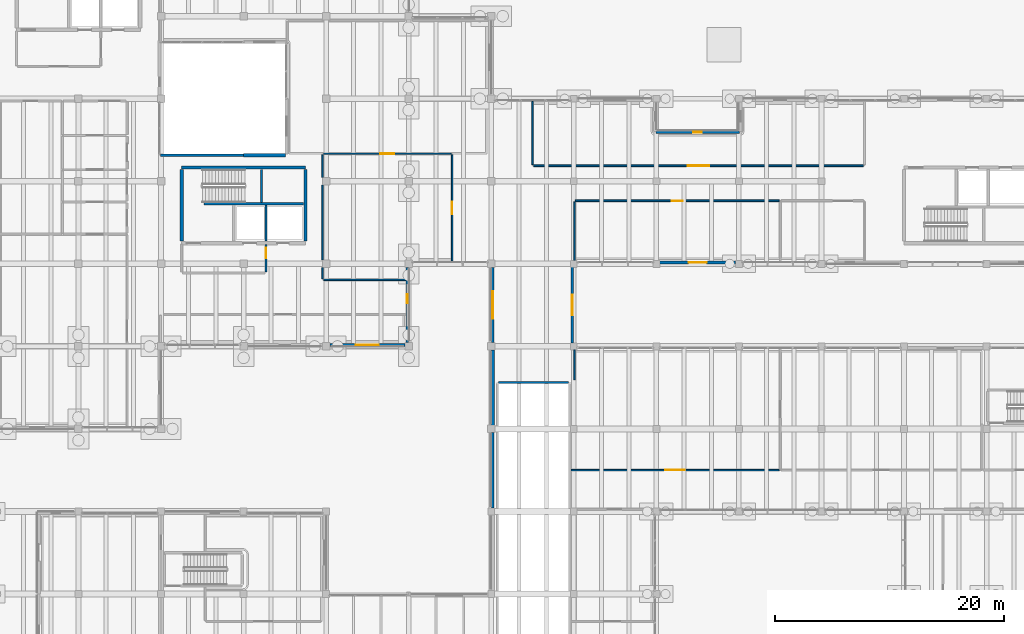
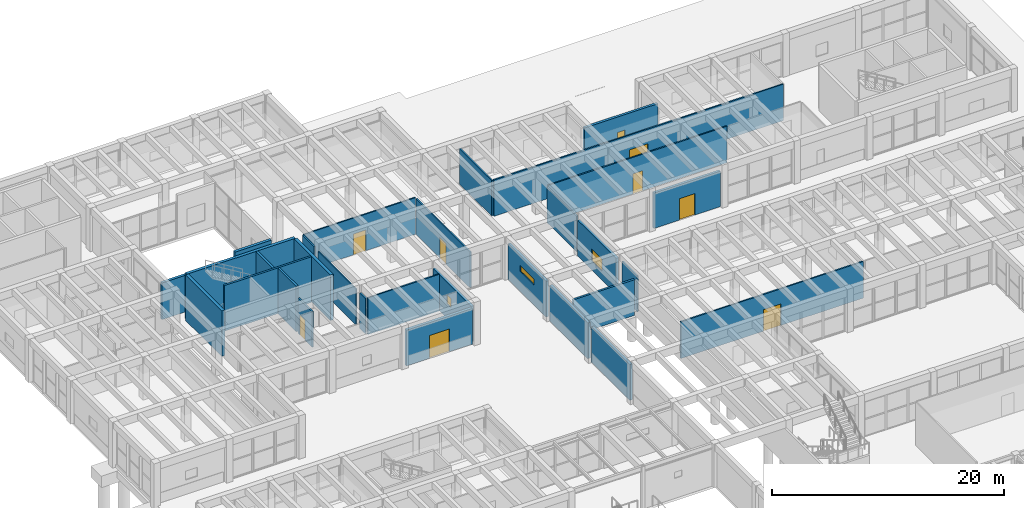
# One storey, part 123 of 155: 30 walls, 8 doors, 4 windows, 12 openings.
"""IFC4 building model written with IfcOpenShell, lengths in metres."""

from ifc_helpers import new_model, si_unit, direction, frame, frame_2d, origin, place, context, subcontext, project, spatial, rectangle, extrude, material, layer, layer_set, type_object, element, fill, save


model = new_model("IFC4")

# Units and contexts
model_context = context("Model", 3, precision=1e-05, world=origin(), true_north=direction((0.0, 1.0)))
body_context = subcontext(model_context, "Body", "Model", "MODEL_VIEW")
ifc_project = project(units=[si_unit("LENGTHUNIT", "METRE"), si_unit("AREAUNIT", "SQUARE_METRE"), si_unit("VOLUMEUNIT", "CUBIC_METRE"), si_unit("PLANEANGLEUNIT", "RADIAN"), si_unit("MASSUNIT", "GRAM", prefix="KILO")], contexts=[model_context])

# Site, building, storey
site_placement = place(None, origin())
site = spatial("IfcSite", under=ifc_project, at=site_placement, CompositionType="ELEMENT")
building_placement = place(site_placement, origin())
building = spatial("IfcBuilding", under=site, at=building_placement, Name="Bramvelor Terrace Health Centre", CompositionType="ELEMENT")
storey_placement = place(building_placement, origin())
storey = spatial("IfcBuildingStorey", under=building, at=storey_placement, Name="L01", CompositionType="ELEMENT", Elevation=0.0)

# Wall, opening, door
ifc_material_1 = material(Name="Acoustic clinical partition board", Category="gypsum")
ifc_layer_1 = layer(ifc_material_1, 0.1298828125)
ifc_layer_set_1 = layer_set([ifc_layer_1], Name="Acoustic clinical partition board")
wall_type_1 = type_object("IfcWallType", Name="WL-CLN-130", PredefinedType="PARTITIONING", material=ifc_layer_set_1)
wall_1_placement = place(storey_placement, frame((28.590087890625, 96.0, 0.0), z_axis=(0.0, 0.0, 1.0), x_axis=(1.0, 0.0, 0.0)))
wall_1 = element("IfcWall", 1, at=wall_1_placement, inside=storey, type_object=wall_type_1, Name="L01 Interior Partition 109", PredefinedType="PARTITIONING", context=body_context, shape_type="SweptSolid", body=[
    extrude(rectangle(XDim=11.10986328125, YDim=0.1298828125, at=frame_2d((5.554931640625, 0.0))), origin(), (0.0, 0.0, 1.0), 3.860107421875),
])
opening_1_placement = place(wall_1_placement, frame((4.945068359375, 0.0, 0.0)))
opening_1 = element("IfcOpeningElement", 2, at=opening_1_placement, cuts=wall_1, Name="Opening ID-C04", PredefinedType="OPENING", context=body_context, shape_type="SweptSolid", body=[
    extrude(rectangle(XDim=1.219970703125, YDim=2.179931640625, at=frame_2d((0.60986328125, 1.08984375))), frame((0.0, 0.074951171875, 0.0), z_axis=(0.0, -1.0, 0.0), x_axis=(1.0, 0.0, 0.0)), (0.0, 0.0, 1.0), 0.14990234375),
])
ifc_material_2 = material(Name="Solid-core acoustic timber laminate", Category="wood")
door_type_1 = type_object("IfcDoorType", Name="DR-CLN-04", OperationType="NOTDEFINED", PredefinedType="DOOR", material=ifc_material_2)
door_1_placement = place(opening_1_placement, origin())
door_1 = element("IfcDoor", 3, at=door_1_placement, inside=storey, type_object=door_type_1, Name="L01 Paediatric Well-Child Clinic Clinical Door", OperationType="SINGLE_SWING_LEFT", OverallHeight=2.179931640625, OverallWidth=1.219970703125, PredefinedType="DOOR", context=body_context, shape_type="SweptSolid", body=[
    extrude(rectangle(XDim=1.219970703125, YDim=2.179931640625, at=frame_2d((0.60986328125, 1.08984375))), frame((0.0, 0.02490234375, 0.0), z_axis=(0.0, -1.0, 0.0), x_axis=(1.0, 0.0, 0.0)), (0.0, 0.0, 1.0), 0.050048828125),
])
fill(opening_1, door_1)

# Walls
wall_2_placement = place(storey_placement, frame((28.5, 85.092041015625, 0.0), z_axis=(0.0, 0.0, 1.0), x_axis=(0.0, 1.0, 0.0)))
element("IfcWall", 4, at=wall_2_placement, inside=storey, type_object=wall_type_1, Name="L01 Interior Partition 112", PredefinedType="PARTITIONING", context=body_context, shape_type="SweptSolid", body=[
    extrude(rectangle(XDim=0.968017578125, YDim=0.1298828125, at=frame_2d((0.48388671875, 0.0))), origin(), (0.0, 0.0, 1.0), 3.760009765625),
])
wall_3_placement = place(storey_placement, frame((28.5, 86.739990234375, 0.0), z_axis=(0.0, 0.0, 1.0), x_axis=(0.0, 1.0, 0.0)))
element("IfcWall", 5, at=wall_3_placement, inside=storey, type_object=wall_type_1, Name="L01 Interior Partition 113", PredefinedType="PARTITIONING", context=body_context, shape_type="SweptSolid", body=[
    extrude(rectangle(XDim=6.52001953125, YDim=0.1298828125, at=frame_2d((3.260009765625, 0.0))), origin(), (0.0, 0.0, 1.0), 3.760009765625),
])
wall_4_placement = place(storey_placement, frame((28.5, 93.93994140625, 0.0), z_axis=(0.0, 0.0, 1.0), x_axis=(0.0, 1.0, 0.0)))
element("IfcWall", 6, at=wall_4_placement, inside=storey, type_object=wall_type_1, Name="L01 Interior Partition 114", PredefinedType="PARTITIONING", context=body_context, shape_type="SweptSolid", body=[
    extrude(rectangle(XDim=1.969970703125, YDim=0.1298828125, at=frame_2d((0.98486328125, 0.0))), origin(), (0.0, 0.0, 1.0), 3.860107421875),
])
wall_5_placement = place(storey_placement, frame((46.800048828125, 95.0419921875, 0.0), z_axis=(0.0, 0.0, 1.0), x_axis=(0.0, 1.0, 0.0)))
element("IfcWall", 7, at=wall_5_placement, inside=storey, type_object=wall_type_1, Name="L01 Interior Partition 127", PredefinedType="PARTITIONING", context=body_context, shape_type="SweptSolid", body=[
    extrude(rectangle(XDim=5.528076171875, YDim=0.1298828125, at=frame_2d((2.76416015625, 0.0))), origin(), (0.0, 0.0, 1.0), 3.72998046875),
])

# Wall, opening, door
ifc_material_3 = material(Name="Fire-rated gypsum and mineral wool", Category="gypsum")
ifc_layer_2 = layer(ifc_material_3, 0.139892578125)
ifc_layer_set_2 = layer_set([ifc_layer_2], Name="Fire-rated gypsum and mineral wool")
wall_type_2 = type_object("IfcWallType", Name="WL-COR-140", PredefinedType="PARTITIONING", material=ifc_layer_set_2)
wall_6_placement = place(storey_placement, frame((68.31005859375, 68.409912109375, 0.0), z_axis=(0.0, 0.0, 1.0), x_axis=(-1.0, 0.0, 0.0)))
wall_6 = element("IfcWall", 8, at=wall_6_placement, inside=storey, type_object=wall_type_2, Name="L01 Interior Partition 89", PredefinedType="PARTITIONING", context=body_context, shape_type="SweptSolid", body=[
    extrude(rectangle(XDim=18.150146484375, YDim=0.139892578125, at=frame_2d((9.0751953125, 0.0))), origin(), (0.0, 0.0, 1.0), 3.860107421875),
])
opening_2_placement = place(wall_6_placement, frame((8.215087890625, 0.0, 0.0)))
opening_2 = element("IfcOpeningElement", 9, at=opening_2_placement, cuts=wall_6, Name="Opening FD-04", PredefinedType="OPENING", context=body_context, shape_type="SweptSolid", body=[
    extrude(rectangle(XDim=1.719970703125, YDim=2.260009765625, at=frame_2d((0.85986328125, 1.1298828125))), frame((0.0, 0.079833984375, 0.0), z_axis=(0.0, -1.0, 0.0), x_axis=(1.0, 0.0, 0.0)), (0.0, 0.0, 1.0), 0.159912109375),
])
ifc_material_4 = material(Name="Fire-rated steel and vision panel", Category="steel")
door_type_2 = type_object("IfcDoorType", Name="DR-FD90-172", OperationType="DOUBLE_DOOR_SINGLE_SWING", PredefinedType="DOOR", material=ifc_material_4)
door_2_placement = place(opening_2_placement, origin())
door_2 = element("IfcDoor", 10, at=door_2_placement, inside=storey, type_object=door_type_2, Name="L01 Patient Navigation and Records Suite Fire Door", OperationType="DOUBLE_DOOR_SINGLE_SWING", OverallHeight=2.260009765625, OverallWidth=1.719970703125, PredefinedType="DOOR", context=body_context, shape_type="SweptSolid", body=[
    extrude(rectangle(XDim=1.719970703125, YDim=2.260009765625, at=frame_2d((0.85986328125, 1.1298828125))), frame((0.0, 0.02490234375, 0.0), z_axis=(0.0, -1.0, 0.0), x_axis=(1.0, 0.0, 0.0)), (0.0, 0.0, 1.0), 0.050048828125),
])
fill(opening_2, door_2)

# Wall
wall_7_placement = place(storey_placement, frame((50.4501953125, 76.288818359375, 0.0), z_axis=(0.0, 0.0, 1.0), x_axis=(0.000657030082, 0.999999784156, 0.0)))
element("IfcWall", 11, at=wall_7_placement, inside=storey, type_object=wall_type_2, Name="L01 Interior Partition 90", PredefinedType="PARTITIONING", context=body_context, shape_type="SweptSolid", body=[
    extrude(rectangle(XDim=2.60107421875, YDim=0.139892578125, at=frame_2d((1.300537109375, 0.0))), origin(), (0.0, 0.0, 1.0), 3.760009765625),
])

# Wall, opening, door
wall_8_placement = place(storey_placement, frame((39.7900390625, 95.909912109375, 0.0), z_axis=(0.0, 0.0, 1.0), x_axis=(0.0, -1.0, 0.0)))
wall_8 = element("IfcWall", 12, at=wall_8_placement, inside=storey, type_object=wall_type_2, Name="L01 Interior Partition 110", PredefinedType="PARTITIONING", context=body_context, shape_type="SweptSolid", body=[
    extrude(rectangle(XDim=9.280029296875, YDim=0.139892578125, at=frame_2d((4.64013671875, 0.0))), origin(), (0.0, 0.0, 1.0), 3.760009765625),
])
opening_3_placement = place(wall_8_placement, frame((4.080078125, 0.0, 0.0)))
opening_3 = element("IfcOpeningElement", 13, at=opening_3_placement, cuts=wall_8, Name="Opening FD-06", PredefinedType="OPENING", context=body_context, shape_type="SweptSolid", body=[
    extrude(rectangle(XDim=1.1201171875, YDim=2.139892578125, at=frame_2d((0.56005859375, 1.06982421875))), frame((0.0, 0.079833984375, 0.0), z_axis=(0.0, -1.0, 0.0), x_axis=(1.0, 0.0, 0.0)), (0.0, 0.0, 1.0), 0.159912109375),
])
ifc_material_5 = material(Name="Fire-rated steel and vision panel", Category="steel")
door_type_3 = type_object("IfcDoorType", Name="DR-FD60-112", OperationType="NOTDEFINED", PredefinedType="DOOR", material=ifc_material_5)
door_3_placement = place(opening_3_placement, origin())
door_3 = element("IfcDoor", 14, at=door_3_placement, inside=storey, type_object=door_type_3, Name="L01 Community Midwifery Antenatal Clinic Fire Door", OperationType="SINGLE_SWING_RIGHT", OverallHeight=2.139892578125, OverallWidth=1.1201171875, PredefinedType="DOOR", context=body_context, shape_type="SweptSolid", body=[
    extrude(rectangle(XDim=1.1201171875, YDim=2.139892578125, at=frame_2d((0.56005859375, 1.06982421875))), frame((0.0, 0.02490234375, 0.0), z_axis=(0.0, -1.0, 0.0), x_axis=(1.0, 0.0, 0.0)), (0.0, 0.0, 1.0), 0.050048828125),
])
fill(opening_3, door_3)

# Walls
wall_9_placement = place(storey_placement, frame((35.735107421875, 85.001953125, 0.0), z_axis=(0.0, 0.0, 1.0), x_axis=(-1.0, 0.0, 0.0)))
element("IfcWall", 15, at=wall_9_placement, inside=storey, type_object=wall_type_2, Name="L01 Interior Partition 111", PredefinedType="PARTITIONING", context=body_context, shape_type="SweptSolid", body=[
    extrude(rectangle(XDim=7.14501953125, YDim=0.139892578125, at=frame_2d((3.572509765625, 0.0))), origin(), (0.0, 0.0, 1.0), 3.860107421875),
])
wall_10_placement = place(storey_placement, frame((50.451904296875, 86.7099609375, 0.0), z_axis=(0.0, 0.0, 1.0), x_axis=(0.0, 1.0, 0.0)))
element("IfcWall", 16, at=wall_10_placement, inside=storey, type_object=wall_type_2, Name="L01 Interior Partition 121", PredefinedType="PARTITIONING", context=body_context, shape_type="SweptSolid", body=[
    extrude(rectangle(XDim=5.09814453125, YDim=0.139892578125, at=frame_2d((2.549072265625, 0.0))), origin(), (0.0, 0.0, 1.0), 3.72998046875),
])

# Wall, opening, door
wall_11_placement = place(storey_placement, frame((50.5419921875, 91.89794921875, 0.0), z_axis=(0.0, 0.0, 1.0), x_axis=(1.0, 0.0, 0.0)))
wall_11 = element("IfcWall", 17, at=wall_11_placement, inside=storey, type_object=wall_type_2, Name="L01 Interior Partition 122", PredefinedType="PARTITIONING", context=body_context, shape_type="SweptSolid", body=[
    extrude(rectangle(XDim=17.76806640625, YDim=0.139892578125, at=frame_2d((8.884033203125, 0.0))), origin(), (0.0, 0.0, 1.0), 3.830078125),
])
opening_4_placement = place(wall_11_placement, frame((8.4140625, 0.0, 0.0)))
opening_4 = element("IfcOpeningElement", 18, at=opening_4_placement, cuts=wall_11, Name="Opening FD-08", PredefinedType="OPENING", context=body_context, shape_type="SweptSolid", body=[
    extrude(rectangle(XDim=0.93994140625, YDim=2.10009765625, at=frame_2d((0.469970703125, 1.050048828125))), frame((0.0, 0.079833984375, 0.0), z_axis=(0.0, -1.0, 0.0), x_axis=(1.0, 0.0, 0.0)), (0.0, 0.0, 1.0), 0.159912109375),
])
ifc_material_6 = material(Name="Fire-rated steel and vision panel", Category="steel")
door_type_4 = type_object("IfcDoorType", Name="DR-FD60-094", OperationType="NOTDEFINED", PredefinedType="DOOR", material=ifc_material_6)
door_4_placement = place(opening_4_placement, origin())
door_4 = element("IfcDoor", 19, at=door_4_placement, inside=storey, type_object=door_type_4, Name="L01 Phlebotomy and Specimen Collection Suite Fire Door", OperationType="SINGLE_SWING_LEFT", OverallHeight=2.10009765625, OverallWidth=0.93994140625, PredefinedType="DOOR", context=body_context, shape_type="SweptSolid", body=[
    extrude(rectangle(XDim=0.93994140625, YDim=2.10009765625, at=frame_2d((0.469970703125, 1.050048828125))), frame((0.0, 0.02490234375, 0.0), z_axis=(0.0, -1.0, 0.0), x_axis=(1.0, 0.0, 0.0)), (0.0, 0.0, 1.0), 0.050048828125),
])
fill(opening_4, door_4)

wall_12_placement = place(storey_placement, frame((75.659912109375, 94.951904296875, 0.0), z_axis=(0.0, 0.0, 1.0), x_axis=(-1.0, 0.0, 0.0)))
wall_12 = element("IfcWall", 20, at=wall_12_placement, inside=storey, type_object=wall_type_2, Name="L01 Interior Partition 126", PredefinedType="PARTITIONING", context=body_context, shape_type="SweptSolid", body=[
    extrude(rectangle(XDim=28.77001953125, YDim=0.139892578125, at=frame_2d((14.385009765625, 0.0))), origin(), (0.0, 0.0, 1.0), 3.830078125),
])
opening_5_placement = place(wall_12_placement, frame((13.465087890625, 0.0, 0.0)))
opening_5 = element("IfcOpeningElement", 21, at=opening_5_placement, cuts=wall_12, Name="Opening FD-10", PredefinedType="OPENING", context=body_context, shape_type="SweptSolid", body=[
    extrude(rectangle(XDim=1.840087890625, YDim=2.280029296875, at=frame_2d((0.919921875, 1.14013671875))), frame((0.0, 0.079833984375, 0.0), z_axis=(0.0, -1.0, 0.0), x_axis=(1.0, 0.0, 0.0)), (0.0, 0.0, 1.0), 0.159912109375),
])
ifc_material_7 = material(Name="Fire-rated steel and vision panel", Category="steel")
door_type_5 = type_object("IfcDoorType", Name="DR-FD60-184", OperationType="DOUBLE_DOOR_SINGLE_SWING", PredefinedType="DOOR", material=ifc_material_7)
door_5_placement = place(opening_5_placement, origin())
door_5 = element("IfcDoor", 22, at=door_5_placement, inside=storey, type_object=door_type_5, Name="L01 Diagnostic Ultrasound Clinic 2 Fire Door", OperationType="DOUBLE_DOOR_SINGLE_SWING", OverallHeight=2.280029296875, OverallWidth=1.840087890625, PredefinedType="DOOR", context=body_context, shape_type="SweptSolid", body=[
    extrude(rectangle(XDim=1.840087890625, YDim=2.280029296875, at=frame_2d((0.919921875, 1.14013671875))), frame((0.0, 0.02490234375, 0.0), z_axis=(0.0, -1.0, 0.0), x_axis=(1.0, 0.0, 0.0)), (0.0, 0.0, 1.0), 0.050048828125),
])
fill(opening_5, door_5)

# Walls
ifc_material_8 = material(Name="Concrete C40/50", Category="concrete")
ifc_layer_3 = layer(ifc_material_8, 0.199951171875)
ifc_layer_set_3 = layer_set([ifc_layer_3], Name="Concrete C40/50")
wall_type_3 = type_object("IfcWallType", Name="WL-CORE-200", PredefinedType="SHEAR", material=ifc_layer_set_3)
wall_13_placement = place(storey_placement, frame((18.14990234375, 91.64990234375, 0.0), z_axis=(0.0, 0.0, 1.0), x_axis=(1.0, 0.0, 0.0)))
element("IfcWall", 23, at=wall_13_placement, inside=storey, type_object=wall_type_3, Name="C2 L01 Core Shear Wall", PredefinedType="SHEAR", context=body_context, shape_type="SweptSolid", body=[
    extrude(rectangle(XDim=8.670166015625, YDim=0.199951171875, at=frame_2d((4.3349609375, 0.0))), origin(), (0.0, 0.0, 1.0), 4.800048828125),
])
wall_14_placement = place(storey_placement, frame((23.155029296875, 91.77001953125, 0.0), z_axis=(0.0, 0.0, 1.0), x_axis=(0.0, 1.0, 0.0)))
element("IfcWall", 24, at=wall_14_placement, inside=storey, type_object=wall_type_3, Name="C2 L01 Core Shear Wall", PredefinedType="SHEAR", context=body_context, shape_type="SweptSolid", body=[
    extrude(rectangle(XDim=2.85009765625, YDim=0.199951171875, at=frame_2d((1.425048828125, 0.0))), origin(), (0.0, 0.0, 1.0), 4.800048828125),
])
wall_15_placement = place(storey_placement, frame((23.550048828125, 88.3798828125, 0.0), z_axis=(0.0, 0.0, 1.0), x_axis=(0.0, 1.0, 0.0)))
element("IfcWall", 25, at=wall_15_placement, inside=storey, type_object=wall_type_3, Name="C2 L01 Lift Divider Wall", PredefinedType="SHEAR", context=body_context, shape_type="SweptSolid", body=[
    extrude(rectangle(XDim=3.150146484375, YDim=0.199951171875, at=frame_2d((1.5751953125, 0.0))), origin(), (0.0, 0.0, 1.0), 4.800048828125),
])
ifc_material_9 = material(Name="Concrete C40/50", Category="concrete")
ifc_layer_4 = layer(ifc_material_9, 0.300048828125)
ifc_layer_set_4 = layer_set([ifc_layer_4], Name="Concrete C40/50")
wall_type_4 = type_object("IfcWallType", Name="WL-CORE-300", PredefinedType="SHEAR", material=ifc_layer_set_4)
wall_16_placement = place(storey_placement, frame((16.199951171875, 94.800048828125, 0.0), z_axis=(0.0, 0.0, 1.0), x_axis=(1.0, 0.0, 0.0)))
element("IfcWall", 26, at=wall_16_placement, inside=storey, type_object=wall_type_4, Name="C2 L01 Core Shear Wall", PredefinedType="SHEAR", context=body_context, shape_type="SweptSolid", body=[
    extrude(rectangle(XDim=10.800048828125, YDim=0.300048828125, at=frame_2d((5.39990234375, 0.0))), origin(), (0.0, 0.0, 1.0), 4.800048828125),
])
for number, where, z_axis, x_axis, name in (
    (27, (16.199951171875, 88.3798828125, 0.0), (0.0, 0.0, 1.0), (0.0, 1.0, 0.0), "C2 L01 Core Shear Wall"),
    (28, (27.0, 88.3798828125, 0.0), (0.0, 0.0, 1.0), (0.0, 1.0, 0.0), "C2 L01 Core Shear Wall"),
):
    element("IfcWall", number, at=place(storey_placement, frame(where, z_axis=z_axis, x_axis=x_axis)), inside=storey, type_object=wall_type_4, Name=name, PredefinedType="SHEAR", context=body_context, shape_type="SweptSolid", body=[
        extrude(rectangle(XDim=6.240234375, YDim=0.300048828125, at=frame_2d((3.1201171875, 0.0))), origin(), (0.0, 0.0, 1.0), 4.800048828125),
    ])
ifc_material_10 = material(Name="Precast concrete C40/50", Category="concrete")
ifc_layer_5 = layer(ifc_material_10, 0.25)
ifc_layer_set_5 = layer_set([ifc_layer_5], Name="Precast concrete C40/50")
wall_type_5 = type_object("IfcWallType", Name="WL-EXT-RC250", PredefinedType="SOLIDWALL", material=ifc_layer_set_5)
wall_17_placement = place(storey_placement, frame((43.330078125, 65.094970703125, 0.0), z_axis=(0.0, 0.0, 1.0), x_axis=(0.0, 1.0, 0.0)))
element("IfcWall", 29, at=wall_17_placement, inside=storey, type_object=wall_type_5, Name="L01 Exterior Facade Wall 25", PredefinedType="SOLIDWALL", context=body_context, shape_type="SweptSolid", body=[
    extrude(rectangle(XDim=6.5849609375, YDim=0.25, at=frame_2d((3.29248046875, 0.0))), origin(), (0.0, 0.0, 1.0), 3.760009765625),
])

# Wall, opening, window
wall_18_placement = place(storey_placement, frame((43.330078125, 79.52001953125, 0.0), z_axis=(0.0, 0.0, 1.0), x_axis=(0.0, 1.0, 0.0)))
wall_18 = element("IfcWall", 30, at=wall_18_placement, inside=storey, type_object=wall_type_5, Name="L01 Exterior Facade Wall 27", PredefinedType="SOLIDWALL", context=body_context, shape_type="SweptSolid", body=[
    extrude(rectangle(XDim=6.56005859375, YDim=0.25, at=frame_2d((3.280029296875, 0.0))), origin(), (0.0, 0.0, 1.0), 3.780029296875),
])
opening_6_placement = place(wall_18_placement, frame((2.080078125, 0.0, 2.10009765625)))
opening_6 = element("IfcOpeningElement", 31, at=opening_6_placement, cuts=wall_18, Name="Opening WN-12", PredefinedType="OPENING", context=body_context, shape_type="SweptSolid", body=[
    extrude(rectangle(XDim=2.39990234375, YDim=0.64990234375, at=frame_2d((1.199951171875, 0.324951171875))), frame((0.0, 0.135009765625, 0.0), z_axis=(0.0, -1.0, 0.0), x_axis=(1.0, 0.0, 0.0)), (0.0, 0.0, 1.0), 0.27001953125),
])
ifc_material_11 = material(Name="Double low-E laminated glass", Category="glass")
window_type_1 = type_object("IfcWindowType", Name="WIN-EXT-12", PartitioningType="SINGLE_PANEL", PredefinedType="WINDOW", material=ifc_material_11)
window_1_placement = place(opening_6_placement, origin())
window_1 = element("IfcWindow", 32, at=window_1_placement, inside=storey, type_object=window_type_1, Name="L01 Scheduled Clinical Window 12", OverallHeight=0.64990234375, OverallWidth=2.39990234375, PartitioningType="SINGLE_PANEL", PredefinedType="WINDOW", context=body_context, shape_type="SweptSolid", body=[
    extrude(rectangle(XDim=2.39990234375, YDim=0.64990234375, at=frame_2d((1.199951171875, 0.324951171875))), frame((0.0, 0.030029296875, 0.0), z_axis=(0.0, -1.0, 0.0), x_axis=(1.0, 0.0, 0.0)), (0.0, 0.0, 1.0), 0.06005859375),
])
fill(opening_6, window_1)

wall_19_placement = place(storey_placement, frame((35.8701171875, 86.080078125, 0.0), z_axis=(0.0, 0.0, 1.0), x_axis=(0.0, -1.0, 0.0)))
wall_19 = element("IfcWall", 33, at=wall_19_placement, inside=storey, type_object=wall_type_5, Name="L01 Exterior Facade Wall 29", PredefinedType="SOLIDWALL", context=body_context, shape_type="SweptSolid", body=[
    extrude(rectangle(XDim=6.56005859375, YDim=0.25, at=frame_2d((3.280029296875, 0.0))), origin(), (0.0, 0.0, 1.0), 3.760009765625),
])
opening_7_placement = place(wall_19_placement, frame((2.35498046875, 0.0, 1.5)))
opening_7 = element("IfcOpeningElement", 34, at=opening_7_placement, cuts=wall_19, Name="Opening WN-13", PredefinedType="OPENING", context=body_context, shape_type="SweptSolid", body=[
    extrude(rectangle(XDim=0.75, YDim=0.949951171875, at=frame_2d((0.375, 0.47509765625))), frame((0.0, 0.135009765625, 0.0), z_axis=(0.0, -1.0, 0.0), x_axis=(1.0, 0.0, 0.0)), (0.0, 0.0, 1.0), 0.27001953125),
])
ifc_material_12 = material(Name="Double low-E laminated glass", Category="glass")
window_type_2 = type_object("IfcWindowType", Name="WIN-EXT-13", PartitioningType="SINGLE_PANEL", PredefinedType="WINDOW", material=ifc_material_12)
window_2_placement = place(opening_7_placement, origin())
window_2 = element("IfcWindow", 35, at=window_2_placement, inside=storey, type_object=window_type_2, Name="L01 Scheduled Clinical Window 13", OverallHeight=0.949951171875, OverallWidth=0.75, PartitioningType="SINGLE_PANEL", PredefinedType="WINDOW", context=body_context, shape_type="SweptSolid", body=[
    extrude(rectangle(XDim=0.75, YDim=0.949951171875, at=frame_2d((0.375, 0.47509765625))), frame((0.0, 0.030029296875, 0.0), z_axis=(0.0, -1.0, 0.0), x_axis=(1.0, 0.0, 0.0)), (0.0, 0.0, 1.0), 0.06005859375),
])
fill(opening_7, window_2)

wall_20_placement = place(storey_placement, frame((57.56005859375, 97.8701171875, 0.0), z_axis=(0.0, 0.0, 1.0), x_axis=(1.0, 0.0, 0.0)))
wall_20 = element("IfcWall", 36, at=wall_20_placement, inside=storey, type_object=wall_type_5, Name="L01 Exterior Facade Wall 53", PredefinedType="SOLIDWALL", context=body_context, shape_type="SweptSolid", body=[
    extrude(rectangle(XDim=7.280029296875, YDim=0.25, at=frame_2d((3.64013671875, 0.0))), origin(), (0.0, 0.0, 1.0), 3.830078125),
])
opening_8_placement = place(wall_20_placement, frame((3.264892578125, 0.0, 0.949951171875)))
opening_8 = element("IfcOpeningElement", 37, at=opening_8_placement, cuts=wall_20, Name="Opening WN-25", PredefinedType="OPENING", context=body_context, shape_type="SweptSolid", body=[
    extrude(rectangle(XDim=0.75, YDim=1.25, at=frame_2d((0.375, 0.625))), frame((0.0, 0.135009765625, 0.0), z_axis=(0.0, -1.0, 0.0), x_axis=(1.0, 0.0, 0.0)), (0.0, 0.0, 1.0), 0.27001953125),
])
ifc_material_13 = material(Name="Double low-E laminated glass", Category="glass")
window_type_3 = type_object("IfcWindowType", Name="WIN-EXT-25", PartitioningType="SINGLE_PANEL", PredefinedType="WINDOW", material=ifc_material_13)
window_3_placement = place(opening_8_placement, origin())
window_3 = element("IfcWindow", 38, at=window_3_placement, inside=storey, type_object=window_type_3, Name="L01 Scheduled Clinical Window 25", OverallHeight=1.25, OverallWidth=0.75, PartitioningType="SINGLE_PANEL", PredefinedType="WINDOW", context=body_context, shape_type="SweptSolid", body=[
    extrude(rectangle(XDim=0.75, YDim=1.25, at=frame_2d((0.375, 0.625))), frame((0.0, 0.030029296875, 0.0), z_axis=(0.0, -1.0, 0.0), x_axis=(1.0, 0.0, 0.0)), (0.0, 0.0, 1.0), 0.06005859375),
])
fill(opening_8, window_3)

# Wall, opening, door
wall_21_placement = place(storey_placement, frame((64.5048828125, 86.530029296875, 0.0), z_axis=(0.0, 0.0, 1.0), x_axis=(-1.0, 0.0, 0.0)))
wall_21 = element("IfcWall", 39, at=wall_21_placement, inside=storey, type_object=wall_type_5, Name="L01 Exterior Facade Wall 65", PredefinedType="SOLIDWALL", context=body_context, shape_type="SweptSolid", body=[
    extrude(rectangle(XDim=6.60986328125, YDim=0.25, at=frame_2d((3.304931640625, 0.0))), origin(), (0.0, 0.0, 1.0), 3.72998046875),
])
opening_9_placement = place(wall_21_placement, frame((2.530029296875, 0.0, 0.0)))
opening_9 = element("IfcOpeningElement", 40, at=opening_9_placement, cuts=wall_21, Name="Opening ED-05", PredefinedType="OPENING", context=body_context, shape_type="SweptSolid", body=[
    extrude(rectangle(XDim=1.550048828125, YDim=2.25, at=frame_2d((0.77490234375, 1.125))), frame((0.0, 0.135009765625, 0.0), z_axis=(0.0, -1.0, 0.0), x_axis=(1.0, 0.0, 0.0)), (0.0, 0.0, 1.0), 0.27001953125),
])
ifc_material_14 = material(Name="Powder-coated steel", Category="steel")
door_type_6 = type_object("IfcDoorType", Name="DR-EXT-EXIT-155", OperationType="DOUBLE_DOOR_SINGLE_SWING", PredefinedType="DOOR", material=ifc_material_14)
door_6_placement = place(opening_9_placement, origin())
door_6 = element("IfcDoor", 41, at=door_6_placement, inside=storey, type_object=door_type_6, Name="L01 Exterior Door 5", OperationType="DOUBLE_DOOR_SINGLE_SWING", OverallHeight=2.25, OverallWidth=1.550048828125, PredefinedType="DOOR", context=body_context, shape_type="SweptSolid", body=[
    extrude(rectangle(XDim=1.550048828125, YDim=2.25, at=frame_2d((0.77490234375, 1.125))), frame((0.0, 0.02490234375, 0.0), z_axis=(0.0, -1.0, 0.0), x_axis=(1.0, 0.0, 0.0)), (0.0, 0.0, 1.0), 0.050048828125),
])
fill(opening_9, door_6)

# Wall, opening, window
wall_22_placement = place(storey_placement, frame((50.27001953125, 86.10498046875, 0.0), z_axis=(0.0, 0.0, 1.0), x_axis=(0.0, -1.0, 0.0)))
wall_22 = element("IfcWall", 42, at=wall_22_placement, inside=storey, type_object=wall_type_5, Name="L01 Exterior Facade Wall 67", PredefinedType="SOLIDWALL", context=body_context, shape_type="SweptSolid", body=[
    extrude(rectangle(XDim=6.60986328125, YDim=0.25, at=frame_2d((3.304931640625, 0.0))), origin(), (0.0, 0.0, 1.0), 3.780029296875),
])
opening_10_placement = place(wall_22_placement, frame((2.405029296875, 0.0, 0.949951171875)))
opening_10 = element("IfcOpeningElement", 43, at=opening_10_placement, cuts=wall_22, Name="Opening WN-32", PredefinedType="OPENING", context=body_context, shape_type="SweptSolid", body=[
    extrude(rectangle(XDim=1.800048828125, YDim=1.25, at=frame_2d((0.89990234375, 0.625))), frame((0.0, 0.135009765625, 0.0), z_axis=(0.0, -1.0, 0.0), x_axis=(1.0, 0.0, 0.0)), (0.0, 0.0, 1.0), 0.27001953125),
])
ifc_material_15 = material(Name="Double low-E laminated glass", Category="glass")
window_type_4 = type_object("IfcWindowType", Name="WIN-EXT-32", PartitioningType="SINGLE_PANEL", PredefinedType="WINDOW", material=ifc_material_15)
window_4_placement = place(opening_10_placement, origin())
window_4 = element("IfcWindow", 44, at=window_4_placement, inside=storey, type_object=window_type_4, Name="L01 Scheduled Clinical Window 32", OverallHeight=1.25, OverallWidth=1.800048828125, PartitioningType="SINGLE_PANEL", PredefinedType="WINDOW", context=body_context, shape_type="SweptSolid", body=[
    extrude(rectangle(XDim=1.800048828125, YDim=1.25, at=frame_2d((0.89990234375, 0.625))), frame((0.0, 0.030029296875, 0.0), z_axis=(0.0, -1.0, 0.0), x_axis=(1.0, 0.0, 0.0)), (0.0, 0.0, 1.0), 0.06005859375),
])
fill(opening_10, window_4)

# Walls
wall_23_placement = place(storey_placement, frame((14.360107421875, 95.8701171875, 0.0), z_axis=(0.0, 0.0, 1.0), x_axis=(1.0, 0.0, 0.0)))
element("IfcWall", 45, at=wall_23_placement, inside=storey, type_object=wall_type_5, Name="L01 Exterior Facade Wall 141", PredefinedType="SOLIDWALL", context=body_context, shape_type="SweptSolid", body=[
    extrude(rectangle(XDim=7.239990234375, YDim=0.25, at=frame_2d((3.6201171875, 0.0))), origin(), (0.0, 0.0, 1.0), 3.860107421875),
])
ifc_material_16 = material(Name="Precast concrete C40/50", Category="concrete")
ifc_layer_6 = layer(ifc_material_16, 0.280029296875)
ifc_layer_set_6 = layer_set([ifc_layer_6], Name="Precast concrete C40/50")
wall_type_6 = type_object("IfcWallType", Name="WL-EXT-RC280", PredefinedType="SOLIDWALL", material=ifc_layer_set_6)
wall_24_placement = place(storey_placement, frame((43.330078125, 72.320068359375, 0.0), z_axis=(0.0, 0.0, 1.0), x_axis=(0.0, 1.0, 0.0)))
element("IfcWall", 46, at=wall_24_placement, inside=storey, type_object=wall_type_6, Name="L01 Exterior Facade Wall 26", PredefinedType="SOLIDWALL", context=body_context, shape_type="SweptSolid", body=[
    extrude(rectangle(XDim=6.559814453125, YDim=0.280029296875, at=frame_2d((3.27978515625, 0.0))), origin(), (0.0, 0.0, 1.0), 3.760009765625),
])

# Wall, opening, door
wall_25_placement = place(storey_placement, frame((35.679931640625, 79.330078125, 0.0), z_axis=(0.0, 0.0, 1.0), x_axis=(-1.0, 0.0, 0.0)))
wall_25 = element("IfcWall", 47, at=wall_25_placement, inside=storey, type_object=wall_type_6, Name="L01 Exterior Facade Wall 30", PredefinedType="SOLIDWALL", context=body_context, shape_type="SweptSolid", body=[
    extrude(rectangle(XDim=6.559814453125, YDim=0.280029296875, at=frame_2d((3.27978515625, 0.0))), origin(), (0.0, 0.0, 1.0), 3.760009765625),
])
opening_11_placement = place(wall_25_placement, frame((2.280029296875, 0.0, 0.0)))
opening_11 = element("IfcOpeningElement", 48, at=opening_11_placement, cuts=wall_25, Name="Opening ED-03", PredefinedType="OPENING", context=body_context, shape_type="SweptSolid", body=[
    extrude(rectangle(XDim=2.0, YDim=2.39990234375, at=frame_2d((1.0, 1.199951171875))), frame((0.0, 0.14990234375, 0.0), z_axis=(0.0, -1.0, 0.0), x_axis=(1.0, 0.0, 0.0)), (0.0, 0.0, 1.0), 0.300048828125),
])
ifc_material_17 = material(Name="Anodized aluminium and laminated glass", Category="aluminium")
door_type_7 = type_object("IfcDoorType", Name="DR-EXT-VEST-200", OperationType="DOUBLE_DOOR_SINGLE_SWING", PredefinedType="DOOR", material=ifc_material_17)
door_7_placement = place(opening_11_placement, origin())
door_7 = element("IfcDoor", 49, at=door_7_placement, inside=storey, type_object=door_type_7, Name="L01 Exterior Door 3", OperationType="DOUBLE_DOOR_SINGLE_SWING", OverallHeight=2.39990234375, OverallWidth=2.0, PredefinedType="DOOR", context=body_context, shape_type="SweptSolid", body=[
    extrude(rectangle(XDim=2.0, YDim=2.39990234375, at=frame_2d((1.0, 1.199951171875))), frame((0.0, 0.02490234375, 0.0), z_axis=(0.0, -1.0, 0.0), x_axis=(1.0, 0.0, 0.0)), (0.0, 0.0, 1.0), 0.050048828125),
])
fill(opening_11, door_7)

# Wall
wall_26_placement = place(storey_placement, frame((21.60009765625, 95.8701171875, 0.0), z_axis=(0.0, 0.0, 1.0), x_axis=(1.0, 0.0, 0.0)))
element("IfcWall", 50, at=wall_26_placement, inside=storey, type_object=wall_type_6, Name="L01 Exterior Facade Wall 142", PredefinedType="SOLIDWALL", context=body_context, shape_type="SweptSolid", body=[
    extrude(rectangle(XDim=3.639892578125, YDim=0.280029296875, at=frame_2d((1.81982421875, 0.0))), origin(), (0.0, 0.0, 1.0), 4.570068359375),
])

# Wall, opening, door
ifc_material_18 = material(Name="Fire-rated gypsum and mineral wool", Category="gypsum")
ifc_layer_7 = layer(ifc_material_18, 0.14990234375)
ifc_layer_set_7 = layer_set([ifc_layer_7], Name="Fire-rated gypsum and mineral wool")
wall_type_7 = type_object("IfcWallType", Name="WL-FIR-150", PredefinedType="PARTITIONING", material=ifc_layer_set_7)
wall_27_placement = place(storey_placement, frame((23.550048828125, 88.083251953125, 0.0), z_axis=(0.0, 0.0, 1.0), x_axis=(0.0, -1.0, 0.0)))
wall_27 = element("IfcWall", 51, at=wall_27_placement, inside=storey, type_object=wall_type_7, Name="L01 Interior Partition 50", PredefinedType="PARTITIONING", context=body_context, shape_type="SweptSolid", body=[
    extrude(rectangle(XDim=2.393310546875, YDim=0.14990234375, at=frame_2d((1.19677734375, 0.0))), origin(), (0.0, 0.0, 1.0), 3.760009765625),
])
opening_12_placement = place(wall_27_placement, frame((0.276611328125, 0.0, 0.0)))
opening_12 = element("IfcOpeningElement", 52, at=opening_12_placement, cuts=wall_27, Name="Opening FD-08", PredefinedType="OPENING", context=body_context, shape_type="SweptSolid", body=[
    extrude(rectangle(XDim=0.93994140625, YDim=2.10009765625, at=frame_2d((0.469970703125, 1.050048828125))), frame((0.0, 0.0849609375, 0.0), z_axis=(0.0, -1.0, 0.0), x_axis=(1.0, 0.0, 0.0)), (0.0, 0.0, 1.0), 0.169921875),
])
door_8_placement = place(opening_12_placement, origin())
door_8 = element("IfcDoor", 53, at=door_8_placement, inside=storey, type_object=door_type_4, Name="L01 Fire Compartment Lobby Door 20", OperationType="SINGLE_SWING_LEFT", OverallHeight=2.10009765625, OverallWidth=0.93994140625, PredefinedType="DOOR", context=body_context, shape_type="SweptSolid", body=[
    extrude(rectangle(XDim=0.93994140625, YDim=2.10009765625, at=frame_2d((0.469970703125, 1.050048828125))), frame((0.0, 0.02490234375, 0.0), z_axis=(0.0, -1.0, 0.0), x_axis=(1.0, 0.0, 0.0)), (0.0, 0.0, 1.0), 0.050048828125),
])
fill(opening_12, door_8)

# Wall
ifc_material_19 = material(Name="Concrete C40/50", Category="concrete")
ifc_layer_8 = layer(ifc_material_19, 0.199951171875)
ifc_layer_set_8 = layer_set([ifc_layer_8], Name="Concrete C40/50")
wall_type_8 = type_object("IfcWallType", Name="WL-VR01-200", PredefinedType="SHEAR", material=ifc_layer_set_8)
wall_28_placement = place(storey_placement, frame((43.85009765625, 76.050048828125, 0.0), z_axis=(0.0, 0.0, 1.0), x_axis=(1.0, 0.0, 0.0)))
element("IfcWall", 54, at=wall_28_placement, inside=storey, type_object=wall_type_8, Name="L01 Vehicle Ramp North Head Wall", PredefinedType="SHEAR", context=body_context, shape_type="SweptSolid", body=[
    extrude(rectangle(XDim=6.099853515625, YDim=0.199951171875, at=frame_2d((3.0498046875, 0.0))), origin(), (0.0, 0.0, 1.0), 3.760009765625),
])

save(model, "model.ifc")
